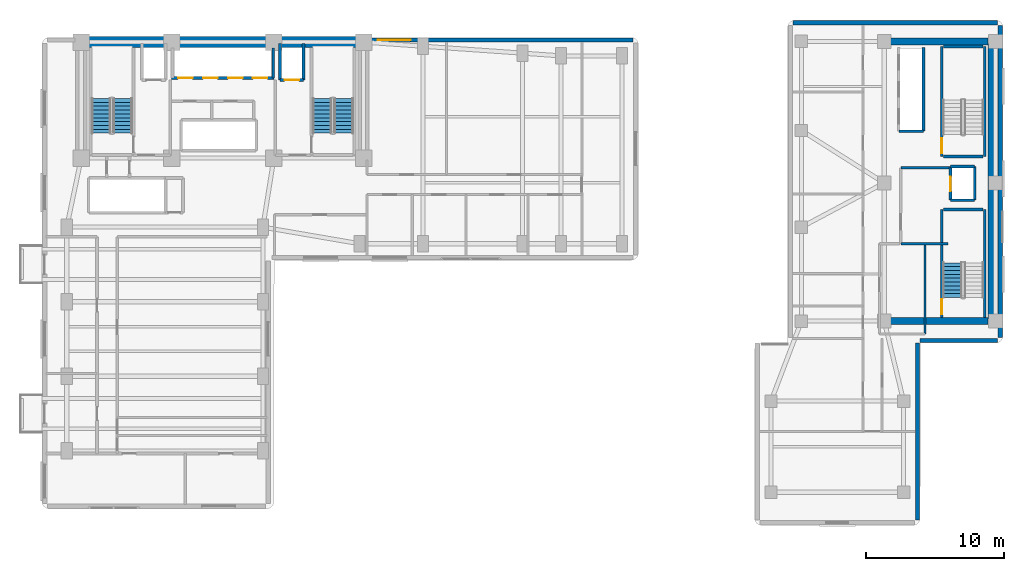
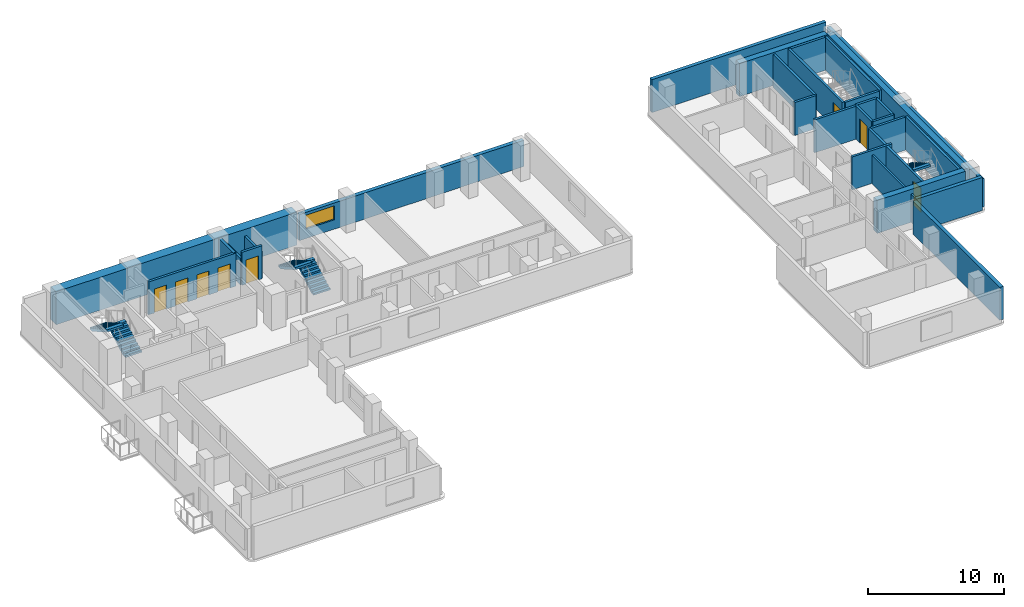
# One storey, part 11 of 15: 30 walls, 8 doors, 5 stair flights, 1 window, 9 openings, 3 elements without a shape of their own.
"""IFC4 building model written with IfcOpenShell, lengths in metres."""

from ifc_helpers import new_model, si_unit, direction, frame, frame_2d, origin, place, context, subcontext, project, spatial, polyline, rectangle, outline, extrude, material, layer, layer_set, type_object, element, fill, aggregate, save


model = new_model("IFC4")

# Units and contexts
model_context = context("Model", 3, precision=1e-05, world=origin(), true_north=direction((0.0, 1.0)))
body_context = subcontext(model_context, "Body", "Model", "MODEL_VIEW")
ifc_project = project(units=[si_unit("LENGTHUNIT", "METRE"), si_unit("AREAUNIT", "SQUARE_METRE"), si_unit("VOLUMEUNIT", "CUBIC_METRE"), si_unit("PLANEANGLEUNIT", "RADIAN"), si_unit("MASSUNIT", "GRAM", prefix="KILO")], contexts=[model_context])

# Site, building, storey
site_placement = place(None, origin())
site = spatial("IfcSite", under=ifc_project, at=site_placement, CompositionType="ELEMENT")
building_placement = place(site_placement, origin())
building = spatial("IfcBuilding", under=site, at=building_placement, Name="Kuzgunbayir Cultural Tower", CompositionType="ELEMENT")
storey_placement = place(building_placement, frame((0.0, 0.0, 72.39990234375)))
storey = spatial("IfcBuildingStorey", under=building, at=storey_placement, Name="L20", CompositionType="ELEMENT", Elevation=72.39990234375)

# Walls
ifc_material_1 = material(Name="Concrete C60/75", Category="concrete")
ifc_layer_1 = layer(ifc_material_1, 0.800048828125)
ifc_layer_set_1 = layer_set([ifc_layer_1], Name="Concrete C60/75")
wall_type_1 = type_object("IfcWallType", Name="WAL-CORE-800", PredefinedType="SHEAR", material=ifc_layer_set_1)
wall_1_placement = place(storey_placement, frame((6.449951171875, 42.199951171875, 0.0), z_axis=(0.0, 0.0, 1.0), x_axis=(1.0, 0.0, 0.0)))
element("IfcWall", 1, at=wall_1_placement, inside=storey, type_object=wall_type_1, Name="L20 T1 Core North Shear Wall", PredefinedType="SHEAR", context=body_context, shape_type="SweptSolid", body=[
    extrude(rectangle(XDim=20.449951171875, YDim=0.800048828125, at=frame_2d((10.22509765625, 0.0))), origin(), (0.0, 0.0, 1.0), 2.960205078125),
])
ifc_material_2 = material(Name="Anatolian Cream Limestone", Category="masonry")
ifc_layer_2 = layer(ifc_material_2, 0.300048828125)
ifc_layer_set_2 = layer_set([ifc_layer_2], Name="Anatolian Cream Limestone")
wall_type_2 = type_object("IfcWallType", Name="WAL-EXT-STONE-300", PredefinedType="STANDARD", material=ifc_layer_set_2)
wall_2_placement = place(storey_placement, frame((73.0, 20.800048828125, 0.0), z_axis=(0.0, 0.0, 1.0), x_axis=(0.0, 1.0, 0.0)))
element("IfcWall", 2, at=wall_2_placement, inside=storey, type_object=wall_type_2, Name="L20 Companion East Limestone Wall", PredefinedType="STANDARD", context=body_context, shape_type="SweptSolid", body=[
    extrude(rectangle(XDim=22.599853515625, YDim=0.300048828125, at=frame_2d((11.2998046875, 0.0))), origin(), (0.0, 0.0, 1.0), 2.5400390625),
])
wall_3_placement = place(storey_placement, frame((72.800048828125, 43.60009765625, 0.0), z_axis=(0.0, 0.0, 1.0), x_axis=(-1.0, 0.0, 0.0)))
element("IfcWall", 3, at=wall_3_placement, inside=storey, type_object=wall_type_2, Name="L20 Companion North Limestone Wall", PredefinedType="STANDARD", context=body_context, shape_type="SweptSolid", body=[
    extrude(rectangle(XDim=14.800048828125, YDim=0.300048828125, at=frame_2d((7.39990234375, 0.0))), origin(), (0.0, 0.0, 1.0), 2.960205078125),
])
wall_4_placement = place(storey_placement, frame((67.0, 7.60009765625, 0.0), z_axis=(0.0, 0.0, 1.0), x_axis=(0.0, 1.0, 0.0)))
element("IfcWall", 4, at=wall_4_placement, inside=storey, type_object=wall_type_2, Name="L20 Companion Wing B East Wall", PredefinedType="STANDARD", context=body_context, shape_type="SweptSolid", body=[
    extrude(rectangle(XDim=12.7998046875, YDim=0.300048828125, at=frame_2d((6.39990234375, 0.0))), origin(), (0.0, 0.0, 1.0), 2.960205078125),
])
wall_5_placement = place(storey_placement, frame((67.199951171875, 20.60009765625, 0.0), z_axis=(0.0, 0.0, 1.0), x_axis=(1.0, 0.0, 0.0)))
element("IfcWall", 5, at=wall_5_placement, inside=storey, type_object=wall_type_2, Name="L20 Companion South-East Link", PredefinedType="STANDARD", context=body_context, shape_type="SweptSolid", body=[
    extrude(rectangle(XDim=5.60009765625, YDim=0.300048828125, at=frame_2d((2.800048828125, 0.0))), origin(), (0.0, 0.0, 1.0), 2.960205078125),
])

# Wall, opening, window
ifc_material_3 = material(Name="Travertine Buff Ashlar", Category="masonry")
ifc_layer_3 = layer(ifc_material_3, 0.320068359375)
ifc_layer_set_3 = layer_set([ifc_layer_3], Name="Travertine Buff Ashlar")
wall_type_3 = type_object("IfcWallType", Name="WAL-EXT-STONE-320", PredefinedType="STANDARD", material=ifc_layer_set_3)
wall_6_placement = place(storey_placement, frame((46.39990234375, 42.35009765625, 0.0), z_axis=(0.0, 0.0, 1.0), x_axis=(-1.0, 0.0, 0.0)))
wall_6 = element("IfcWall", 6, at=wall_6_placement, inside=storey, type_object=wall_type_3, Name="L20 North Wing B Limestone Wall", PredefinedType="STANDARD", context=body_context, shape_type="SweptSolid", body=[
    extrude(rectangle(XDim=19.0498046875, YDim=0.320068359375, at=frame_2d((9.52490234375, 0.0))), origin(), (0.0, 0.0, 1.0), 2.35009765625),
])
opening_1_placement = place(wall_6_placement, frame((16.090087890625, 0.0, 0.85009765625)))
opening_1 = element("IfcOpeningElement", 7, at=opening_1_placement, cuts=wall_6, Name="Opening WO-24", PredefinedType="OPENING", context=body_context, shape_type="SweptSolid", body=[
    extrude(rectangle(XDim=2.39990234375, YDim=1.25, at=frame_2d((1.199951171875, 0.625))), frame((0.0, 0.169921875, 0.0), z_axis=(0.0, -1.0, 0.0), x_axis=(1.0, 0.0, 0.0)), (0.0, 0.0, 1.0), 0.340087890625),
])
ifc_material_4 = material(Name="Solar-Control Triple Glazing", Category="glass")
window_type = type_object("IfcWindowType", Name="WIN-OFFICE-24", PartitioningType="SINGLE_PANEL", PredefinedType="WINDOW", material=ifc_material_4)
window_placement = place(opening_1_placement, origin())
window = element("IfcWindow", 8, at=window_placement, inside=storey, type_object=window_type, Name="L20 CRN Facade Window 4", OverallHeight=1.25, OverallWidth=2.39990234375, PartitioningType="SINGLE_PANEL", PredefinedType="WINDOW", context=body_context, shape_type="SweptSolid", body=[
    extrude(rectangle(XDim=2.39990234375, YDim=1.25, at=frame_2d((1.199951171875, 0.625))), frame((0.0, 0.030029296875, 0.0), z_axis=(0.0, -1.0, 0.0), x_axis=(1.0, 0.0, 0.0)), (0.0, 0.0, 1.0), 0.06005859375),
])
fill(opening_1, window)

# Walls
ifc_material_5 = material(Name="Acoustic Double-Stud Drywall", Category="gypsum")
ifc_layer_4 = layer(ifc_material_5, 0.14990234375)
ifc_layer_set_4 = layer_set([ifc_layer_4], Name="Acoustic Double-Stud Drywall")
wall_type_4 = type_object("IfcWallType", Name="WAL-PART-ACOUSTIC-150", PredefinedType="PARTITIONING", material=ifc_layer_set_4)
wall_7_placement = place(storey_placement, frame((67.550048828125, 21.050048828125, 0.0), z_axis=(0.0, 0.0, 1.0), x_axis=(0.0, 1.0, 0.0)))
element("IfcWall", 9, at=wall_7_placement, inside=storey, type_object=wall_type_4, Name="L20 Companion Archive East Wall", PredefinedType="PARTITIONING", context=body_context, shape_type="SweptSolid", body=[
    extrude(rectangle(XDim=6.469970703125, YDim=0.14990234375, at=frame_2d((3.23486328125, 0.0))), origin(), (0.0, 0.0, 1.0), 2.5400390625),
])
ifc_material_6 = material(Name="Aerated Concrete Blockwork", Category="masonry")
ifc_layer_5 = layer(ifc_material_6, 0.199951171875)
ifc_layer_set_5 = layer_set([ifc_layer_5], Name="Aerated Concrete Blockwork")
wall_type_5 = type_object("IfcWallType", Name="WAL-PART-FIRE-200", PredefinedType="PARTITIONING", material=ifc_layer_set_5)
wall_8_placement = place(storey_placement, frame((65.800048828125, 33.10009765625, 0.0), z_axis=(0.0, 0.0, 1.0), x_axis=(1.0, 0.0, 0.0)))
element("IfcWall", 10, at=wall_8_placement, inside=storey, type_object=wall_type_5, Name="L20 FFL-3 Lobby North Fire Wall", PredefinedType="PARTITIONING", context=body_context, shape_type="SweptSolid", body=[
    extrude(rectangle(XDim=3.599853515625, YDim=0.199951171875, at=frame_2d((1.7998046875, 0.0))), origin(), (0.0, 0.0, 1.0), 2.960205078125),
])
wall_9_placement = place(storey_placement, frame((65.800048828125, 27.60009765625, 0.0), z_axis=(0.0, 0.0, 1.0), x_axis=(1.0, 0.0, 0.0)))
element("IfcWall", 11, at=wall_9_placement, inside=storey, type_object=wall_type_5, Name="L20 FFL-3 Lobby South Fire Wall", PredefinedType="PARTITIONING", context=body_context, shape_type="SweptSolid", body=[
    extrude(rectangle(XDim=3.39990234375, YDim=0.199951171875, at=frame_2d((1.699951171875, 0.0))), origin(), (0.0, 0.0, 1.0), 2.960205078125),
])

# Wall, opening, door
ifc_material_7 = material(Name="Concrete C40/50", Category="concrete")
ifc_layer_6 = layer(ifc_material_7, 0.199951171875)
ifc_layer_set_6 = layer_set([ifc_layer_6], Name="Concrete C40/50")
wall_type_6 = type_object("IfcWallType", Name="WAL-SHAFT-200", PredefinedType="MOVABLE", material=ifc_layer_set_6)
wall_10_placement = place(storey_placement, frame((20.85009765625, 39.449951171875, 0.0), z_axis=(0.0, 0.0, 1.0), x_axis=(1.0, 0.0, 0.0)))
wall_10 = element("IfcWall", 12, at=wall_10_placement, inside=storey, type_object=wall_type_6, Name="L20 FFL-2 Lift Front Wall", PredefinedType="MOVABLE", context=body_context, shape_type="SweptSolid", body=[
    extrude(rectangle(XDim=1.699951171875, YDim=0.199951171875, at=frame_2d((0.85009765625, 0.0))), origin(), (0.0, 0.0, 1.0), 2.960205078125),
])
opening_2_placement = place(wall_10_placement, frame((0.320068359375, 0.0, 0.0)))
opening_2 = element("IfcOpeningElement", 13, at=opening_2_placement, cuts=wall_10, Name="Opening LD", PredefinedType="OPENING", context=body_context, shape_type="SweptSolid", body=[
    extrude(rectangle(XDim=1.050048828125, YDim=2.14990234375, at=frame_2d((0.52490234375, 1.074951171875))), frame((0.0, 0.10986328125, 0.0), z_axis=(0.0, -1.0, 0.0), x_axis=(1.0, 0.0, 0.0)), (0.0, 0.0, 1.0), 0.219970703125),
])
ifc_material_8 = material(Name="Brushed Stainless Steel", Category="steel")
door_type_1 = type_object("IfcDoorType", Name="DR-LIFT-LANDING", OperationType="SLIDING_TO_LEFT", PredefinedType="DOOR", material=ifc_material_8)
door_1_placement = place(opening_2_placement, origin())
door_1 = element("IfcDoor", 14, at=door_1_placement, inside=storey, type_object=door_type_1, Name="L20 Lift FFL-2 Landing Door", OperationType="SLIDING_TO_LEFT", OverallHeight=2.14990234375, OverallWidth=1.050048828125, PredefinedType="DOOR", context=body_context, shape_type="SweptSolid", body=[
    extrude(rectangle(XDim=1.050048828125, YDim=2.14990234375, at=frame_2d((0.52490234375, 1.074951171875))), frame((0.0, 0.02490234375, 0.0), z_axis=(0.0, -1.0, 0.0), x_axis=(1.0, 0.0, 0.0)), (0.0, 0.0, 1.0), 0.050048828125),
])
fill(opening_2, door_1)

# Walls
for number, where, z_axis, x_axis, name in (
    (15, (20.85009765625, 39.449951171875, 0.0), (0.0, 0.0, 1.0), (0.0, 1.0, 0.0), "L20 FFL-2 Shaft West Wall"),
    (16, (22.550048828125, 39.449951171875, 0.0), (0.0, 0.0, 1.0), (0.0, 1.0, 0.0), "L20 FFL-2 Shaft East Wall"),
):
    element("IfcWall", number, at=place(storey_placement, frame(where, z_axis=z_axis, x_axis=x_axis)), inside=storey, type_object=wall_type_6, Name=name, PredefinedType="MOVABLE", context=body_context, shape_type="SweptSolid", body=[
        extrude(rectangle(XDim=2.650146484375, YDim=0.199951171875, at=frame_2d((1.3251953125, 0.0))), origin(), (0.0, 0.0, 1.0), 2.35009765625),
    ])

# Wall, openings, doors
wall_11_placement = place(storey_placement, frame((13.0, 39.60009765625, 0.0), z_axis=(0.0, 0.0, 1.0), x_axis=(1.0, 0.0, 0.0)))
wall_11 = element("IfcWall", 17, at=wall_11_placement, inside=storey, type_object=wall_type_6, Name="L20 Low-Rise Lift Front Wall", PredefinedType="MOVABLE", context=body_context, shape_type="SweptSolid", body=[
    extrude(rectangle(XDim=7.39990234375, YDim=0.199951171875, at=frame_2d((3.699951171875, 0.0))), origin(), (0.0, 0.0, 1.0), 2.960205078125),
])
opening_3_placement = place(wall_11_placement, frame((0.469970703125, 0.0, 0.0)))
opening_3 = element("IfcOpeningElement", 18, at=opening_3_placement, cuts=wall_11, Name="Opening LD", PredefinedType="OPENING", context=body_context, shape_type="SweptSolid", body=[
    extrude(rectangle(XDim=1.050048828125, YDim=2.14990234375, at=frame_2d((0.52490234375, 1.074951171875))), frame((0.0, 0.10986328125, 0.0), z_axis=(0.0, -1.0, 0.0), x_axis=(1.0, 0.0, 0.0)), (0.0, 0.0, 1.0), 0.219970703125),
])
opening_4_placement = place(wall_11_placement, frame((2.280029296875, 0.0, 0.0)))
opening_4 = element("IfcOpeningElement", 19, at=opening_4_placement, cuts=wall_11, Name="Opening LD", PredefinedType="OPENING", context=body_context, shape_type="SweptSolid", body=[
    extrude(rectangle(XDim=1.050048828125, YDim=2.14990234375, at=frame_2d((0.52490234375, 1.074951171875))), frame((0.0, 0.10986328125, 0.0), z_axis=(0.0, -1.0, 0.0), x_axis=(1.0, 0.0, 0.0)), (0.0, 0.0, 1.0), 0.219970703125),
])
opening_5_placement = place(wall_11_placement, frame((4.080078125, 0.0, 0.0)))
opening_5 = element("IfcOpeningElement", 20, at=opening_5_placement, cuts=wall_11, Name="Opening LD", PredefinedType="OPENING", context=body_context, shape_type="SweptSolid", body=[
    extrude(rectangle(XDim=1.050048828125, YDim=2.14990234375, at=frame_2d((0.52490234375, 1.074951171875))), frame((0.0, 0.10986328125, 0.0), z_axis=(0.0, -1.0, 0.0), x_axis=(1.0, 0.0, 0.0)), (0.0, 0.0, 1.0), 0.219970703125),
])
opening_6_placement = place(wall_11_placement, frame((5.8798828125, 0.0, 0.0)))
opening_6 = element("IfcOpeningElement", 21, at=opening_6_placement, cuts=wall_11, Name="Opening LD", PredefinedType="OPENING", context=body_context, shape_type="SweptSolid", body=[
    extrude(rectangle(XDim=1.050048828125, YDim=2.14990234375, at=frame_2d((0.52490234375, 1.074951171875))), frame((0.0, 0.10986328125, 0.0), z_axis=(0.0, -1.0, 0.0), x_axis=(1.0, 0.0, 0.0)), (0.0, 0.0, 1.0), 0.219970703125),
])
door_2_placement = place(opening_3_placement, origin())
door_2 = element("IfcDoor", 22, at=door_2_placement, inside=storey, type_object=door_type_1, Name="L20 Lift PL-1 Landing Door", OperationType="SLIDING_TO_LEFT", OverallHeight=2.14990234375, OverallWidth=1.050048828125, PredefinedType="DOOR", context=body_context, shape_type="SweptSolid", body=[
    extrude(rectangle(XDim=1.050048828125, YDim=2.14990234375, at=frame_2d((0.52490234375, 1.074951171875))), frame((0.0, 0.02490234375, 0.0), z_axis=(0.0, -1.0, 0.0), x_axis=(1.0, 0.0, 0.0)), (0.0, 0.0, 1.0), 0.050048828125),
])
fill(opening_3, door_2)
door_3_placement = place(opening_4_placement, origin())
door_3 = element("IfcDoor", 23, at=door_3_placement, inside=storey, type_object=door_type_1, Name="L20 Lift PL-2 Landing Door", OperationType="SLIDING_TO_LEFT", OverallHeight=2.14990234375, OverallWidth=1.050048828125, PredefinedType="DOOR", context=body_context, shape_type="SweptSolid", body=[
    extrude(rectangle(XDim=1.050048828125, YDim=2.14990234375, at=frame_2d((0.52490234375, 1.074951171875))), frame((0.0, 0.02490234375, 0.0), z_axis=(0.0, -1.0, 0.0), x_axis=(1.0, 0.0, 0.0)), (0.0, 0.0, 1.0), 0.050048828125),
])
fill(opening_4, door_3)
door_4_placement = place(opening_5_placement, origin())
door_4 = element("IfcDoor", 24, at=door_4_placement, inside=storey, type_object=door_type_1, Name="L20 Lift PL-3 Landing Door", OperationType="SLIDING_TO_LEFT", OverallHeight=2.14990234375, OverallWidth=1.050048828125, PredefinedType="DOOR", context=body_context, shape_type="SweptSolid", body=[
    extrude(rectangle(XDim=1.050048828125, YDim=2.14990234375, at=frame_2d((0.52490234375, 1.074951171875))), frame((0.0, 0.02490234375, 0.0), z_axis=(0.0, -1.0, 0.0), x_axis=(1.0, 0.0, 0.0)), (0.0, 0.0, 1.0), 0.050048828125),
])
fill(opening_5, door_4)
door_5_placement = place(opening_6_placement, origin())
door_5 = element("IfcDoor", 25, at=door_5_placement, inside=storey, type_object=door_type_1, Name="L20 Lift PL-4 Landing Door", OperationType="SLIDING_TO_LEFT", OverallHeight=2.14990234375, OverallWidth=1.050048828125, PredefinedType="DOOR", context=body_context, shape_type="SweptSolid", body=[
    extrude(rectangle(XDim=1.050048828125, YDim=2.14990234375, at=frame_2d((0.52490234375, 1.074951171875))), frame((0.0, 0.02490234375, 0.0), z_axis=(0.0, -1.0, 0.0), x_axis=(1.0, 0.0, 0.0)), (0.0, 0.0, 1.0), 0.050048828125),
])
fill(opening_6, door_5)

# Walls
wall_12_placement = place(storey_placement, frame((20.35009765625, 39.60009765625, 0.0), z_axis=(0.0, 0.0, 1.0), x_axis=(0.0, 1.0, 0.0)))
element("IfcWall", 26, at=wall_12_placement, inside=storey, type_object=wall_type_6, Name="L20 Low-Rise Lift Shaft East Wall", PredefinedType="MOVABLE", context=body_context, shape_type="SweptSolid", body=[
    extrude(rectangle(XDim=2.179931640625, YDim=0.199951171875, at=frame_2d((1.08984375, 0.0))), origin(), (0.0, 0.0, 1.0), 2.960205078125),
])
wall_13_placement = place(storey_placement, frame((67.449951171875, 35.75, 0.0), z_axis=(0.0, 0.0, 1.0), x_axis=(0.0, 1.0, 0.0)))
element("IfcWall", 27, at=wall_13_placement, inside=storey, type_object=wall_type_6, Name="L20 Companion Lift Shaft Back Wall", PredefinedType="MOVABLE", context=body_context, shape_type="SweptSolid", body=[
    extrude(rectangle(XDim=6.050048828125, YDim=0.199951171875, at=frame_2d((3.02490234375, 0.0))), origin(), (0.0, 0.0, 1.0), 2.960205078125),
])
wall_14_placement = place(storey_placement, frame((65.64990234375, 35.75, 0.0), z_axis=(0.0, 0.0, 1.0), x_axis=(1.0, 0.0, 0.0)))
element("IfcWall", 28, at=wall_14_placement, inside=storey, type_object=wall_type_6, Name="L20 Companion Lift Shaft South Wall", PredefinedType="MOVABLE", context=body_context, shape_type="SweptSolid", body=[
    extrude(rectangle(XDim=1.800048828125, YDim=0.199951171875, at=frame_2d((0.89990234375, 0.0))), origin(), (0.0, 0.0, 1.0), 2.960205078125),
])

# Wall, opening, door
wall_15_placement = place(storey_placement, frame((69.39990234375, 30.75, 0.0), z_axis=(0.0, 0.0, 1.0), x_axis=(0.0, 1.0, 0.0)))
wall_15 = element("IfcWall", 29, at=wall_15_placement, inside=storey, type_object=wall_type_6, Name="L20 FFL-3 Lift Front Wall", PredefinedType="MOVABLE", context=body_context, shape_type="SweptSolid", body=[
    extrude(rectangle(XDim=2.449951171875, YDim=0.199951171875, at=frame_2d((1.22509765625, 0.0))), origin(), (0.0, 0.0, 1.0), 2.960205078125),
])
opening_7_placement = place(wall_15_placement, frame((0.64990234375, 0.0, 0.0)))
opening_7 = element("IfcOpeningElement", 30, at=opening_7_placement, cuts=wall_15, Name="Opening LD", PredefinedType="OPENING", context=body_context, shape_type="SweptSolid", body=[
    extrude(rectangle(XDim=1.050048828125, YDim=2.14990234375, at=frame_2d((0.52490234375, 1.074951171875))), frame((0.0, 0.10986328125, 0.0), z_axis=(0.0, -1.0, 0.0), x_axis=(1.0, 0.0, 0.0)), (0.0, 0.0, 1.0), 0.219970703125),
])
door_6_placement = place(opening_7_placement, origin())
door_6 = element("IfcDoor", 31, at=door_6_placement, inside=storey, type_object=door_type_1, Name="L20 Lift FFL-3 Landing Door", OperationType="SLIDING_TO_LEFT", OverallHeight=2.14990234375, OverallWidth=1.050048828125, PredefinedType="DOOR", context=body_context, shape_type="SweptSolid", body=[
    extrude(rectangle(XDim=1.050048828125, YDim=2.14990234375, at=frame_2d((0.52490234375, 1.074951171875))), frame((0.0, 0.02490234375, 0.0), z_axis=(0.0, -1.0, 0.0), x_axis=(1.0, 0.0, 0.0)), (0.0, 0.0, 1.0), 0.050048828125),
])
fill(opening_7, door_6)

# Walls
wall_16_placement = place(storey_placement, frame((71.14990234375, 30.75, 0.0), z_axis=(0.0, 0.0, 1.0), x_axis=(0.0, 1.0, 0.0)))
element("IfcWall", 32, at=wall_16_placement, inside=storey, type_object=wall_type_6, Name="L20 FFL-3 Shaft Back Wall", PredefinedType="MOVABLE", context=body_context, shape_type="SweptSolid", body=[
    extrude(rectangle(XDim=2.449951171875, YDim=0.199951171875, at=frame_2d((1.22509765625, 0.0))), origin(), (0.0, 0.0, 1.0), 2.960205078125),
])
for number, where, z_axis, x_axis, name in (
    (33, (69.39990234375, 33.199951171875, 0.0), (0.0, 0.0, 1.0), (1.0, 0.0, 0.0), "L20 FFL-3 Shaft North Wall"),
    (34, (69.39990234375, 30.75, 0.0), (0.0, 0.0, 1.0), (1.0, 0.0, 0.0), "L20 FFL-3 Shaft South Wall"),
):
    element("IfcWall", number, at=place(storey_placement, frame(where, z_axis=z_axis, x_axis=x_axis)), inside=storey, type_object=wall_type_6, Name=name, PredefinedType="MOVABLE", context=body_context, shape_type="SweptSolid", body=[
        extrude(rectangle(XDim=1.75, YDim=0.199951171875, at=frame_2d((0.875, 0.0))), origin(), (0.0, 0.0, 1.0), 2.960205078125),
    ])

# Wall, opening, door
ifc_layer_7 = layer(ifc_material_7, 0.199951171875)
ifc_layer_set_7 = layer_set([ifc_layer_7], Name="Concrete C40/50")
wall_type_7 = type_object("IfcWallType", Name="WAL-STAIR-RC-200", PredefinedType="SHEAR", material=ifc_layer_set_7)
wall_17_placement = place(storey_placement, frame((68.760009765625, 22.260009765625, 0.0), z_axis=(0.0, 0.0, 1.0), x_axis=(0.0, 1.0, 0.0)))
wall_17 = element("IfcWall", 35, at=wall_17_placement, inside=storey, type_object=wall_type_7, Name="L20 Stair ST-3 West Structural Wall", PredefinedType="SHEAR", context=body_context, shape_type="SweptSolid", body=[
    extrude(rectangle(XDim=7.820068359375, YDim=0.199951171875, at=frame_2d((3.91015625, 0.0))), origin(), (0.0, 0.0, 1.0), 2.960205078125),
])
opening_8_placement = place(wall_17_placement, frame((0.219970703125, 0.0, 0.0)))
opening_8 = element("IfcOpeningElement", 36, at=opening_8_placement, cuts=wall_17, Name="Opening DR-STAIR-90", PredefinedType="OPENING", context=body_context, shape_type="SweptSolid", body=[
    extrude(rectangle(XDim=1.10009765625, YDim=2.14990234375, at=frame_2d((0.550048828125, 1.074951171875))), frame((0.0, 0.10986328125, 0.0), z_axis=(0.0, -1.0, 0.0), x_axis=(1.0, 0.0, 0.0)), (0.0, 0.0, 1.0), 0.219970703125),
])
ifc_material_9 = material(Name="Steel S355J2", Category="steel")
door_type_2 = type_object("IfcDoorType", Name="DR-STAIR-90", OperationType="NOTDEFINED", PredefinedType="DOOR", material=ifc_material_9)
door_7_placement = place(opening_8_placement, origin())
door_7 = element("IfcDoor", 37, at=door_7_placement, inside=storey, type_object=door_type_2, Name="L20 Stair ST-3 Fire Door", OperationType="SINGLE_SWING_RIGHT", OverallHeight=2.14990234375, OverallWidth=1.10009765625, PredefinedType="DOOR", context=body_context, shape_type="SweptSolid", body=[
    extrude(rectangle(XDim=1.10009765625, YDim=2.14990234375, at=frame_2d((0.550048828125, 1.074951171875))), frame((0.0, 0.02490234375, 0.0), z_axis=(0.0, -1.0, 0.0), x_axis=(1.0, 0.0, 0.0)), (0.0, 0.0, 1.0), 0.050048828125),
])
fill(opening_8, door_7)

# Walls
wall_18_placement = place(storey_placement, frame((71.8798828125, 22.260009765625, 0.0), z_axis=(0.0, 0.0, 1.0), x_axis=(0.0, 1.0, 0.0)))
element("IfcWall", 38, at=wall_18_placement, inside=storey, type_object=wall_type_7, Name="L20 Stair ST-3 East Structural Wall", PredefinedType="SHEAR", context=body_context, shape_type="SweptSolid", body=[
    extrude(rectangle(XDim=7.820068359375, YDim=0.199951171875, at=frame_2d((3.91015625, 0.0))), origin(), (0.0, 0.0, 1.0), 2.960205078125),
])
wall_19_placement = place(storey_placement, frame((68.8798828125, 30.080078125, 0.0), z_axis=(0.0, 0.0, 1.0), x_axis=(1.0, 0.0, 0.0)))
element("IfcWall", 39, at=wall_19_placement, inside=storey, type_object=wall_type_7, Name="L20 Stair ST-3 North Structural Wall", PredefinedType="SHEAR", context=body_context, shape_type="SweptSolid", body=[
    extrude(rectangle(XDim=2.880126953125, YDim=0.199951171875, at=frame_2d((1.43994140625, 0.0))), origin(), (0.0, 0.0, 1.0), 2.960205078125),
])

# Wall, opening, door
wall_20_placement = place(storey_placement, frame((68.760009765625, 33.919921875, 0.0), z_axis=(0.0, 0.0, 1.0), x_axis=(0.0, 1.0, 0.0)))
wall_20 = element("IfcWall", 40, at=wall_20_placement, inside=storey, type_object=wall_type_7, Name="L20 Stair ST-4 West Structural Wall", PredefinedType="SHEAR", context=body_context, shape_type="SweptSolid", body=[
    extrude(rectangle(XDim=7.9599609375, YDim=0.199951171875, at=frame_2d((3.97998046875, 0.0))), origin(), (0.0, 0.0, 1.0), 2.960205078125),
])
opening_9_placement = place(wall_20_placement, frame((0.219970703125, 0.0, 0.0)))
opening_9 = element("IfcOpeningElement", 41, at=opening_9_placement, cuts=wall_20, Name="Opening DR-STAIR-90", PredefinedType="OPENING", context=body_context, shape_type="SweptSolid", body=[
    extrude(rectangle(XDim=1.10009765625, YDim=2.14990234375, at=frame_2d((0.550048828125, 1.074951171875))), frame((0.0, 0.10986328125, 0.0), z_axis=(0.0, -1.0, 0.0), x_axis=(1.0, 0.0, 0.0)), (0.0, 0.0, 1.0), 0.219970703125),
])
door_8_placement = place(opening_9_placement, origin())
door_8 = element("IfcDoor", 42, at=door_8_placement, inside=storey, type_object=door_type_2, Name="L20 Stair ST-4 Fire Door", OperationType="SINGLE_SWING_LEFT", OverallHeight=2.14990234375, OverallWidth=1.10009765625, PredefinedType="DOOR", context=body_context, shape_type="SweptSolid", body=[
    extrude(rectangle(XDim=1.10009765625, YDim=2.14990234375, at=frame_2d((0.550048828125, 1.074951171875))), frame((0.0, 0.02490234375, 0.0), z_axis=(0.0, -1.0, 0.0), x_axis=(1.0, 0.0, 0.0)), (0.0, 0.0, 1.0), 0.050048828125),
])
fill(opening_9, door_8)

# Walls
wall_21_placement = place(storey_placement, frame((71.8798828125, 33.919921875, 0.0), z_axis=(0.0, 0.0, 1.0), x_axis=(0.0, 1.0, 0.0)))
element("IfcWall", 43, at=wall_21_placement, inside=storey, type_object=wall_type_7, Name="L20 Stair ST-4 East Structural Wall", PredefinedType="SHEAR", context=body_context, shape_type="SweptSolid", body=[
    extrude(rectangle(XDim=7.9599609375, YDim=0.199951171875, at=frame_2d((3.97998046875, 0.0))), origin(), (0.0, 0.0, 1.0), 2.960205078125),
])
for number, where, z_axis, x_axis, name in (
    (44, (68.8798828125, 41.8798828125, 0.0), (0.0, 0.0, 1.0), (1.0, 0.0, 0.0), "L20 Stair ST-4 North Structural Wall"),
    (45, (68.8798828125, 33.919921875, 0.0), (0.0, 0.0, 1.0), (1.0, 0.0, 0.0), "L20 Stair ST-4 South Structural Wall"),
):
    element("IfcWall", number, at=place(storey_placement, frame(where, z_axis=z_axis, x_axis=x_axis)), inside=storey, type_object=wall_type_7, Name=name, PredefinedType="SHEAR", context=body_context, shape_type="SweptSolid", body=[
        extrude(rectangle(XDim=2.880126953125, YDim=0.199951171875, at=frame_2d((1.43994140625, 0.0))), origin(), (0.0, 0.0, 1.0), 2.960205078125),
    ])
ifc_layer_8 = layer(ifc_material_1, 0.5)
ifc_layer_set_8 = layer_set([ifc_layer_8], Name="Concrete C60/75")
wall_type_8 = type_object("IfcWallType", Name="WAL-T2-CORE-500", PredefinedType="SHEAR", material=ifc_layer_set_8)
wall_22_placement = place(storey_placement, frame((72.35009765625, 22.0, 0.0), z_axis=(0.0, 0.0, 1.0), x_axis=(0.0, 1.0, 0.0)))
element("IfcWall", 46, at=wall_22_placement, inside=storey, type_object=wall_type_8, Name="L20 Companion Core East Shear Wall", PredefinedType="SHEAR", context=body_context, shape_type="SweptSolid", body=[
    extrude(rectangle(XDim=20.25, YDim=0.5, at=frame_2d((10.125, 0.0))), origin(), (0.0, 0.0, 1.0), 2.960205078125),
])
for number, where, z_axis, x_axis, name in (
    (47, (64.60009765625, 42.25, 0.0), (0.0, 0.0, 1.0), (1.0, 0.0, 0.0), "L20 Companion Core North Shear Wall"),
    (48, (64.60009765625, 22.0, 0.0), (0.0, 0.0, 1.0), (1.0, 0.0, 0.0), "L20 Companion Core South Shear Wall"),
):
    element("IfcWall", number, at=place(storey_placement, frame(where, z_axis=z_axis, x_axis=x_axis)), inside=storey, type_object=wall_type_8, Name=name, PredefinedType="SHEAR", context=body_context, shape_type="SweptSolid", body=[
        extrude(rectangle(XDim=7.5, YDim=0.5, at=frame_2d((3.75, 0.0))), origin(), (0.0, 0.0, 1.0), 2.960205078125),
    ])

# Stair, stair flights
stair_type = type_object("IfcStairType", Name="STR-EXIT-CORE", PredefinedType="HALF_TURN_STAIR", material=ifc_material_7)
stair_1_placement = place(storey_placement, origin())
stair_1 = element("IfcStair", 49, at=stair_1_placement, inside=storey, type_object=stair_type, Name="L20 ST-1", PredefinedType="HALF_TURN_STAIR")
stair_flight_type = type_object("IfcStairFlightType", Name="STRF-RC-140", PredefinedType="STRAIGHT", material=ifc_material_7)
stair_flight_1_placement = place(storey_placement, frame((9.4599609375, 35.60009765625, 0.0), z_axis=(0.0, 0.0, 1.0), x_axis=(0.0, 1.0, 0.0)))
stair_flight_1 = element("IfcStairFlight", 50, at=stair_flight_1_placement, type_object=stair_flight_type, Name="ST-1 flight 1", NumberOfRisers=10, NumberOfTreads=9, PredefinedType="STRAIGHT", RiserHeight=0.16, TreadLength=0.28, context=body_context, shape_type="SweptSolid", body=[
    extrude(outline(polyline([(0.0, 0.0), (0.0, 0.159912109375), (0.280029296875, 0.159912109375), (0.280029296875, 0.320068359375), (0.56005859375, 0.320068359375), (0.56005859375, 0.47998046875), (0.840087890625, 0.47998046875), (0.840087890625, 0.639892578125), (1.1201171875, 0.639892578125), (1.1201171875, 0.800048828125), (1.39990234375, 0.800048828125), (1.39990234375, 0.9599609375), (1.679931640625, 0.9599609375), (1.679931640625, 1.1201171875), (1.9599609375, 1.1201171875), (1.9599609375, 1.280029296875), (2.239990234375, 1.280029296875), (2.239990234375, 1.43994140625), (2.52001953125, 1.43994140625), (2.52001953125, 1.60009765625), (2.52001953125, 1.232666015625), (0.362548828125, 0.0), (0.0, 0.0)])), frame((0.0, 0.699951171875, 0.0), z_axis=(0.0, -1.0, 0.0), x_axis=(1.0, 0.0, 0.0)), (0.0, 0.0, 1.0), 1.39990234375),
])
stair_flight_2_placement = place(storey_placement, frame((7.89990234375, 38.1201171875, 1.60009765625), z_axis=(0.0, 0.0, 1.0), x_axis=(0.0, -1.0, 0.0)))
stair_flight_2 = element("IfcStairFlight", 51, at=stair_flight_2_placement, type_object=stair_flight_type, Name="ST-1 flight 2", NumberOfRisers=10, NumberOfTreads=9, PredefinedType="STRAIGHT", RiserHeight=0.16, TreadLength=0.28, context=body_context, shape_type="SweptSolid", body=[
    extrude(outline(polyline([(0.0, 0.0), (0.0, 0.159912109375), (0.280029296875, 0.159912109375), (0.280029296875, 0.320068359375), (0.56005859375, 0.320068359375), (0.56005859375, 0.47998046875), (0.840087890625, 0.47998046875), (0.840087890625, 0.639892578125), (1.1201171875, 0.639892578125), (1.1201171875, 0.800048828125), (1.39990234375, 0.800048828125), (1.39990234375, 0.9599609375), (1.679931640625, 0.9599609375), (1.679931640625, 1.1201171875), (1.9599609375, 1.1201171875), (1.9599609375, 1.280029296875), (2.239990234375, 1.280029296875), (2.239990234375, 1.43994140625), (2.52001953125, 1.43994140625), (2.52001953125, 1.60009765625), (2.52001953125, 1.232666015625), (0.362548828125, 0.0), (0.0, 0.0)])), frame((0.0, 0.699951171875, 0.0), z_axis=(0.0, -1.0, 0.0), x_axis=(1.0, 0.0, 0.0)), (0.0, 0.0, 1.0), 1.39990234375),
])
aggregate(stair_1, [stair_flight_1, stair_flight_2])

stair_2_placement = place(storey_placement, origin())
stair_2 = element("IfcStair", 52, at=stair_2_placement, inside=storey, type_object=stair_type, Name="L20 ST-2", PredefinedType="HALF_TURN_STAIR")
stair_flight_3_placement = place(storey_placement, frame((25.4599609375, 35.60009765625, 0.0), z_axis=(0.0, 0.0, 1.0), x_axis=(0.0, 1.0, 0.0)))
stair_flight_3 = element("IfcStairFlight", 53, at=stair_flight_3_placement, type_object=stair_flight_type, Name="ST-2 flight 1", NumberOfRisers=10, NumberOfTreads=9, PredefinedType="STRAIGHT", RiserHeight=0.16, TreadLength=0.28, context=body_context, shape_type="SweptSolid", body=[
    extrude(outline(polyline([(0.0, 0.0), (0.0, 0.159912109375), (0.280029296875, 0.159912109375), (0.280029296875, 0.320068359375), (0.56005859375, 0.320068359375), (0.56005859375, 0.47998046875), (0.840087890625, 0.47998046875), (0.840087890625, 0.639892578125), (1.1201171875, 0.639892578125), (1.1201171875, 0.800048828125), (1.39990234375, 0.800048828125), (1.39990234375, 0.9599609375), (1.679931640625, 0.9599609375), (1.679931640625, 1.1201171875), (1.9599609375, 1.1201171875), (1.9599609375, 1.280029296875), (2.239990234375, 1.280029296875), (2.239990234375, 1.43994140625), (2.52001953125, 1.43994140625), (2.52001953125, 1.60009765625), (2.52001953125, 1.232666015625), (0.362548828125, 0.0), (0.0, 0.0)])), frame((0.0, 0.699951171875, 0.0), z_axis=(0.0, -1.0, 0.0), x_axis=(1.0, 0.0, 0.0)), (0.0, 0.0, 1.0), 1.39990234375),
])
stair_flight_4_placement = place(storey_placement, frame((23.89990234375, 38.1201171875, 1.60009765625), z_axis=(0.0, 0.0, 1.0), x_axis=(0.0, -1.0, 0.0)))
stair_flight_4 = element("IfcStairFlight", 54, at=stair_flight_4_placement, type_object=stair_flight_type, Name="ST-2 flight 2", NumberOfRisers=10, NumberOfTreads=9, PredefinedType="STRAIGHT", RiserHeight=0.16, TreadLength=0.28, context=body_context, shape_type="SweptSolid", body=[
    extrude(outline(polyline([(0.0, 0.0), (0.0, 0.159912109375), (0.280029296875, 0.159912109375), (0.280029296875, 0.320068359375), (0.56005859375, 0.320068359375), (0.56005859375, 0.47998046875), (0.840087890625, 0.47998046875), (0.840087890625, 0.639892578125), (1.1201171875, 0.639892578125), (1.1201171875, 0.800048828125), (1.39990234375, 0.800048828125), (1.39990234375, 0.9599609375), (1.679931640625, 0.9599609375), (1.679931640625, 1.1201171875), (1.9599609375, 1.1201171875), (1.9599609375, 1.280029296875), (2.239990234375, 1.280029296875), (2.239990234375, 1.43994140625), (2.52001953125, 1.43994140625), (2.52001953125, 1.60009765625), (2.52001953125, 1.232666015625), (0.362548828125, 0.0), (0.0, 0.0)])), frame((0.0, 0.699951171875, 0.0), z_axis=(0.0, -1.0, 0.0), x_axis=(1.0, 0.0, 0.0)), (0.0, 0.0, 1.0), 1.39990234375),
])
aggregate(stair_2, [stair_flight_3, stair_flight_4])

# Stair, stair flight
stair_3_placement = place(storey_placement, origin())
stair_3 = element("IfcStair", 55, at=stair_3_placement, inside=storey, type_object=stair_type, Name="L20 ST-3", PredefinedType="HALF_TURN_STAIR")
stair_flight_5_placement = place(storey_placement, frame((69.5400390625, 26.219970703125, 1.60009765625), z_axis=(0.0, 0.0, 1.0), x_axis=(0.0, -1.0, 0.0)))
stair_flight_5 = element("IfcStairFlight", 56, at=stair_flight_5_placement, type_object=stair_flight_type, Name="ST-3 flight 2", NumberOfRisers=10, NumberOfTreads=9, PredefinedType="STRAIGHT", RiserHeight=0.16, TreadLength=0.28, context=body_context, shape_type="SweptSolid", body=[
    extrude(outline(polyline([(0.0, 0.0), (0.0, 0.159912109375), (0.280029296875, 0.159912109375), (0.280029296875, 0.320068359375), (0.56005859375, 0.320068359375), (0.56005859375, 0.47998046875), (0.840087890625, 0.47998046875), (0.840087890625, 0.639892578125), (1.1201171875, 0.639892578125), (1.1201171875, 0.800048828125), (1.39990234375, 0.800048828125), (1.39990234375, 0.9599609375), (1.679931640625, 0.9599609375), (1.679931640625, 1.1201171875), (1.9599609375, 1.1201171875), (1.9599609375, 1.280029296875), (2.239990234375, 1.280029296875), (2.239990234375, 1.43994140625), (2.52001953125, 1.43994140625), (2.52001953125, 1.60009765625), (2.52001953125, 1.232666015625), (0.362548828125, 0.0), (0.0, 0.0)])), frame((0.0, 0.699951171875, 0.0), z_axis=(0.0, -1.0, 0.0), x_axis=(1.0, 0.0, 0.0)), (0.0, 0.0, 1.0), 1.39990234375),
])
aggregate(stair_3, [stair_flight_5])

save(model, "model.ifc")
